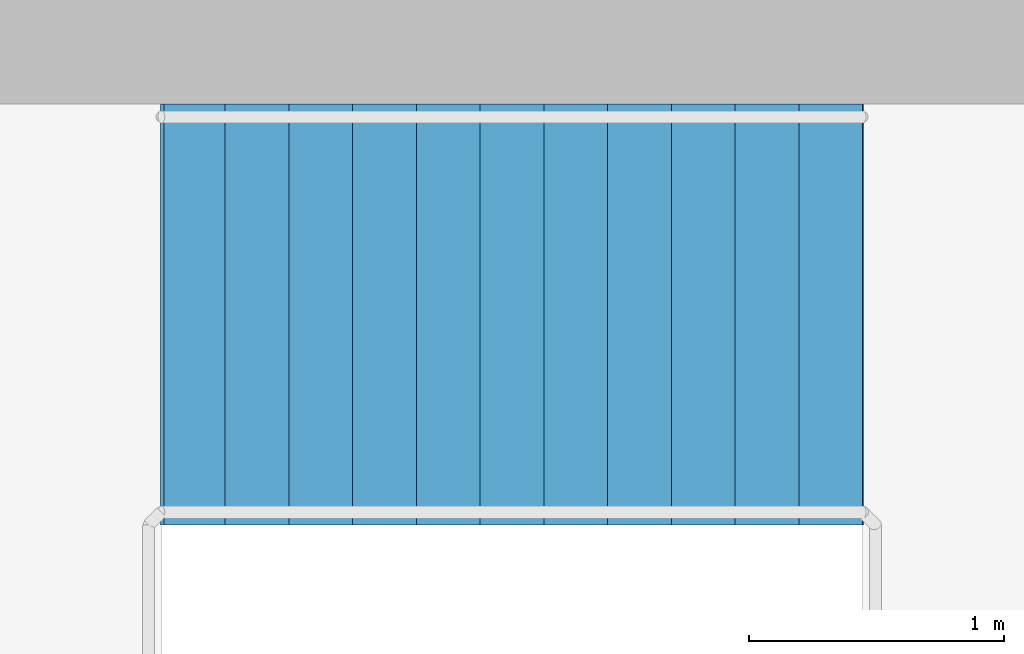
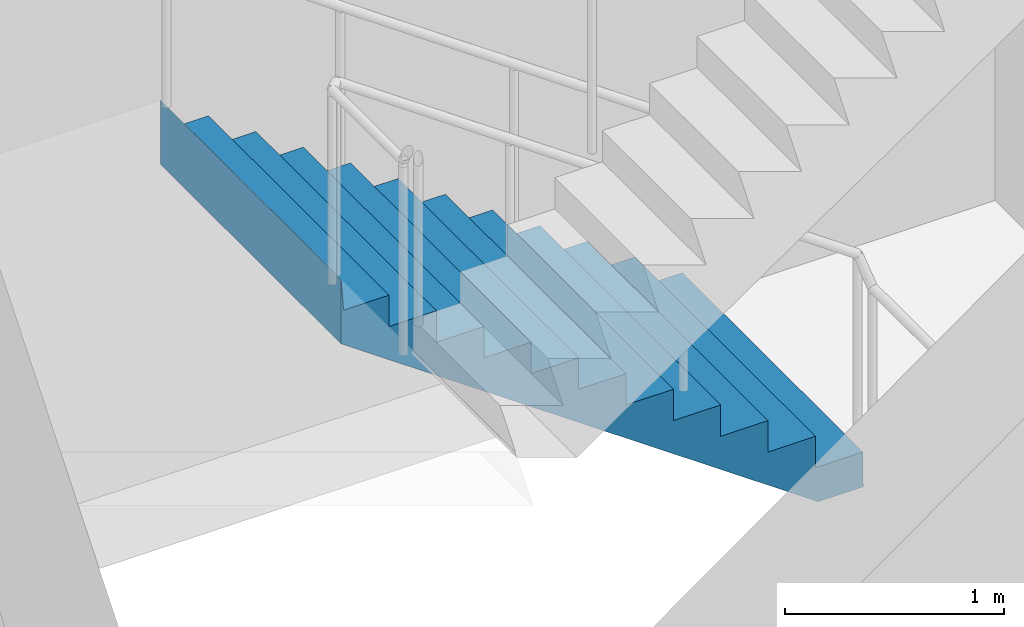
# One storey, part 18 of 19: 1 stair flight, 1 element without a shape of its own.
"""IFC4 building model written with IfcOpenShell, lengths in metres."""

from ifc_helpers import new_model, si_unit, direction, frame, origin, place, context, subcontext, project, spatial, triangles, material, type_object, element, aggregate, save


model = new_model("IFC4")

# Units and contexts
model_context = context("Model", 3, precision=1e-05, world=origin(), true_north=direction((0.0, 1.0)))
body_context = subcontext(model_context, "Body", "Model", "MODEL_VIEW")
ifc_project = project(units=[si_unit("LENGTHUNIT", "METRE"), si_unit("AREAUNIT", "SQUARE_METRE"), si_unit("VOLUMEUNIT", "CUBIC_METRE"), si_unit("PLANEANGLEUNIT", "RADIAN"), si_unit("MASSUNIT", "GRAM", prefix="KILO")], contexts=[model_context])

# Site, building, storey
site_placement = place(None, origin())
site = spatial("IfcSite", under=ifc_project, at=site_placement, CompositionType="ELEMENT")
building_placement = place(site_placement, origin())
building = spatial("IfcBuilding", under=site, at=building_placement, Name="Maasbend Ring Residences", CompositionType="ELEMENT")
storey_placement = place(building_placement, frame((0.0, 0.0, 186.0)))
storey = spatial("IfcBuildingStorey", under=building, at=storey_placement, Name="L53", CompositionType="ELEMENT", Elevation=186.0)

# Stair, stair flight
ifc_material_1 = material(Name="Concrete C40/50", Category="concrete")
stair_type = type_object("IfcStairType", Name="CORE STAIR 24 RISERS", PredefinedType="HALF_TURN_STAIR", material=ifc_material_1)
stair_placement = place(storey_placement, origin())
stair = element("IfcStair", 1, at=stair_placement, inside=storey, type_object=stair_type, Name="L53 Exit stair ST-E1", PredefinedType="HALF_TURN_STAIR")
ifc_material_2 = material(Name="Concrete C40/50", Category="concrete")
stair_flight_type = type_object("IfcStairFlightType", Name="CORE STAIR FLIGHT 1650", PredefinedType="STRAIGHT", material=ifc_material_2)
stair_flight_placement = place(storey_placement, frame((13.550048828125, 7.77490234375, 0.0), z_axis=(0.0, 0.0, 1.0), x_axis=(-1.0, 0.0, 0.0)))
stair_flight = element("IfcStairFlight", 2, at=stair_flight_placement, type_object=stair_flight_type, Name="ST-E1 flight 1", NumberOfRisers=12, NumberOfTreads=11, PredefinedType="STRAIGHT", RiserHeight=0.175, TreadLength=0.25, context=body_context, shape_type="Tessellation", body=[
    triangles([(0.23583984375, 0.824951171875, -0.02001953125), (2.7529296875, 0.824951171875, 1.741943359375), (2.7529296875, 0.824951171875, 2.10009765625), (2.739990234375, 0.824951171875, 1.925048828125), (2.5, 0.824951171875, 1.925048828125), (2.5, 0.824951171875, 1.75), (2.25, 0.824951171875, 1.75), (2.25, 0.824951171875, 1.574951171875), (2.0, 0.824951171875, 1.574951171875), (2.0, 0.824951171875, 1.39990234375), (1.75, 0.824951171875, 1.39990234375), (1.75, 0.824951171875, 1.22509765625), (1.5, 0.824951171875, 1.22509765625), (1.5, 0.824951171875, 1.050048828125), (1.25, 0.824951171875, 1.050048828125), (1.25, 0.824951171875, 0.875), (1.0, 0.824951171875, 0.875), (1.0, 0.824951171875, 0.699951171875), (0.75, 0.824951171875, 0.699951171875), (0.75, 0.824951171875, 0.52490234375), (0.5, 0.824951171875, 0.52490234375), (0.5, 0.824951171875, 0.35009765625), (0.25, 0.824951171875, 0.35009765625), (0.25, 0.824951171875, 0.175048828125), (0.0, 0.824951171875, 0.175048828125), (0.0, 0.824951171875, 0.0), (-0.0029296875, 0.824951171875, 0.0), (-0.0029296875, 0.824951171875, -0.02001953125), (0.23583984375, -0.824951171875, -0.02001953125), (2.7529296875, -0.824951171875, 1.741943359375), (2.7529296875, -0.824951171875, 2.10009765625), (2.739990234375, -0.824951171875, 1.925048828125), (2.5, -0.824951171875, 1.925048828125), (2.5, -0.824951171875, 1.75), (2.25, -0.824951171875, 1.75), (2.25, -0.824951171875, 1.574951171875), (2.0, -0.824951171875, 1.574951171875), (2.0, -0.824951171875, 1.39990234375), (1.75, -0.824951171875, 1.39990234375), (1.75, -0.824951171875, 1.22509765625), (1.5, -0.824951171875, 1.22509765625), (1.5, -0.824951171875, 1.050048828125), (1.25, -0.824951171875, 1.050048828125), (1.25, -0.824951171875, 0.875), (1.0, -0.824951171875, 0.875), (1.0, -0.824951171875, 0.699951171875), (0.75, -0.824951171875, 0.699951171875), (0.75, -0.824951171875, 0.52490234375), (0.5, -0.824951171875, 0.52490234375), (0.5, -0.824951171875, 0.35009765625), (0.25, -0.824951171875, 0.35009765625), (0.25, -0.824951171875, 0.175048828125), (0.0, -0.824951171875, 0.175048828125), (0.0, -0.824951171875, 0.0), (-0.0029296875, -0.824951171875, 0.0), (-0.0029296875, -0.824951171875, -0.02001953125)], [[1, 2, 30], [1, 30, 29], [2, 3, 31], [2, 31, 30], [3, 4, 32], [3, 32, 31], [4, 5, 33], [4, 33, 32], [5, 6, 34], [5, 34, 33], [6, 7, 35], [6, 35, 34], [7, 8, 36], [7, 36, 35], [8, 9, 37], [8, 37, 36], [9, 10, 38], [9, 38, 37], [10, 11, 39], [10, 39, 38], [11, 12, 40], [11, 40, 39], [12, 13, 41], [12, 41, 40], [13, 14, 42], [13, 42, 41], [14, 15, 43], [14, 43, 42], [15, 16, 44], [15, 44, 43], [16, 17, 45], [16, 45, 44], [17, 18, 46], [17, 46, 45], [18, 19, 47], [18, 47, 46], [19, 20, 48], [19, 48, 47], [20, 21, 49], [20, 49, 48], [21, 22, 50], [21, 50, 49], [22, 23, 51], [22, 51, 50], [23, 24, 52], [23, 52, 51], [24, 25, 53], [24, 53, 52], [25, 26, 54], [25, 54, 53], [26, 27, 55], [26, 55, 54], [27, 28, 56], [27, 56, 55], [28, 1, 29], [28, 29, 56], [28, 2, 1], [2, 4, 3], [2, 5, 4], [2, 6, 5], [28, 6, 2], [6, 8, 7], [28, 8, 6], [8, 10, 9], [28, 10, 8], [10, 12, 11], [28, 12, 10], [12, 14, 13], [28, 14, 12], [14, 16, 15], [28, 16, 14], [16, 18, 17], [28, 18, 16], [18, 20, 19], [28, 20, 18], [20, 22, 21], [28, 22, 20], [22, 24, 23], [28, 24, 22], [24, 26, 25], [28, 26, 24], [26, 28, 27], [56, 29, 30], [30, 31, 32], [30, 32, 33], [30, 33, 34], [56, 30, 34], [34, 35, 36], [56, 34, 36], [36, 37, 38], [56, 36, 38], [38, 39, 40], [56, 38, 40], [40, 41, 42], [56, 40, 42], [42, 43, 44], [56, 42, 44], [44, 45, 46], [56, 44, 46], [46, 47, 48], [56, 46, 48], [48, 49, 50], [56, 48, 50], [50, 51, 52], [56, 50, 52], [52, 53, 54], [56, 52, 54], [54, 55, 56]], closed=True),
])
aggregate(stair, [stair_flight])

save(model, "model.ifc")
